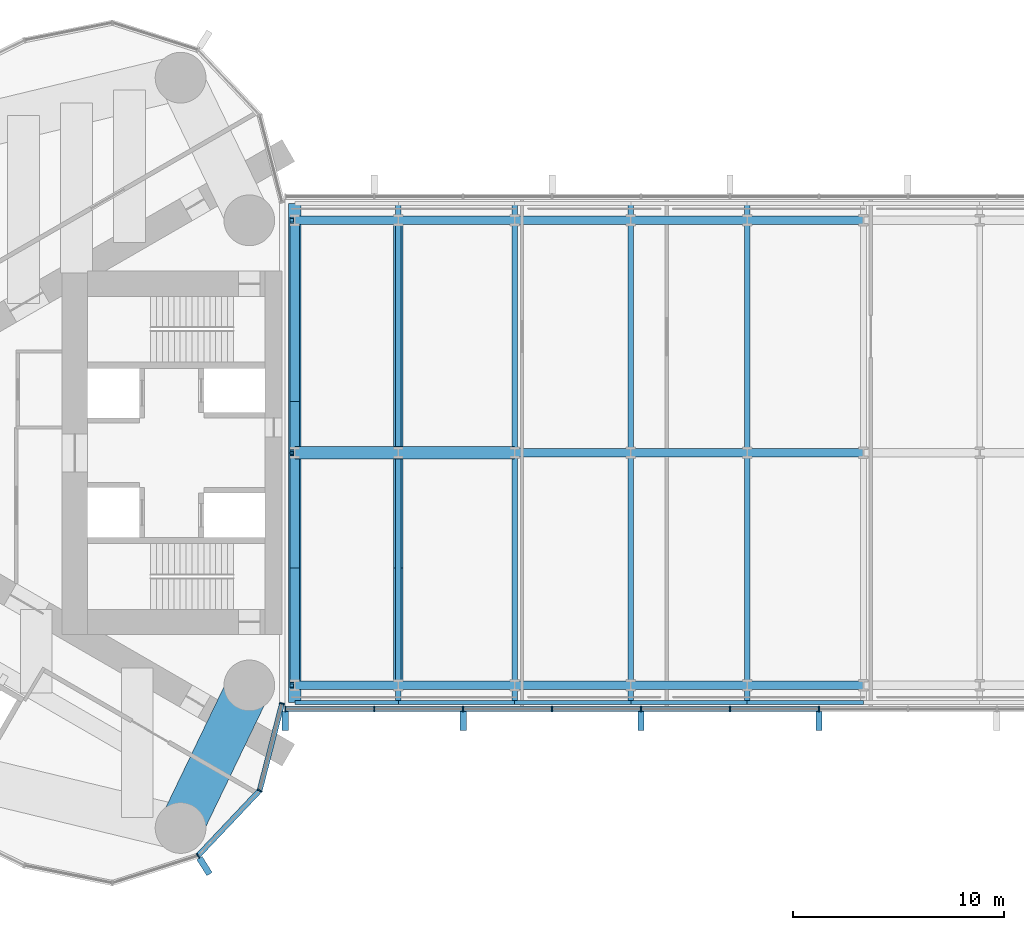
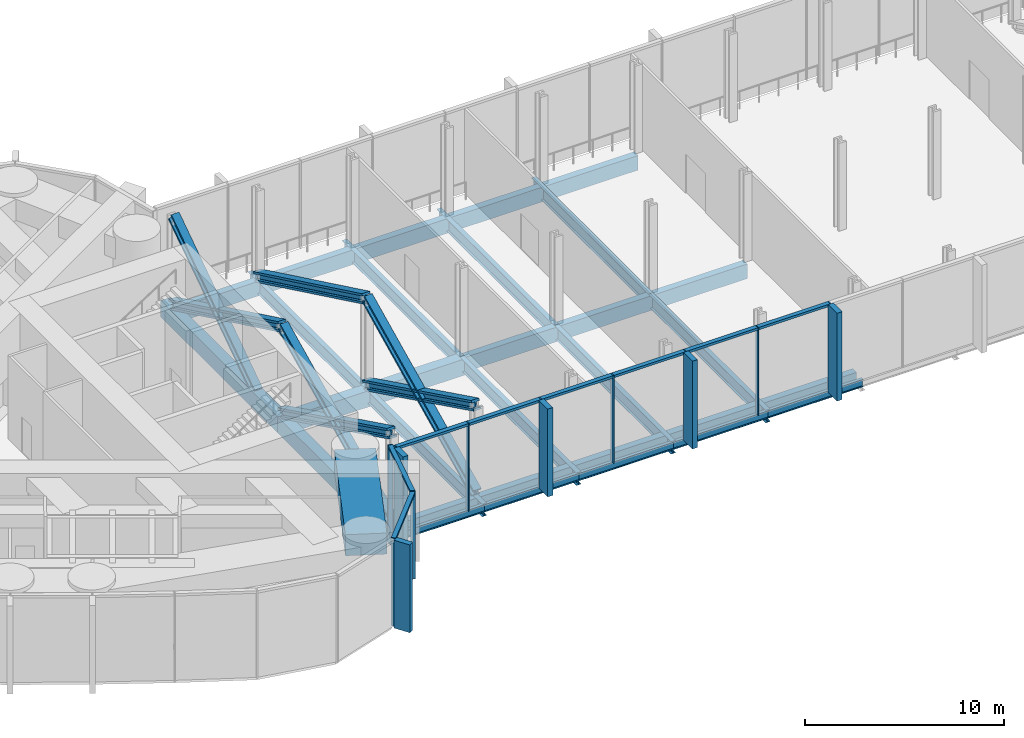
# One storey, part 5 of 21: 31 beams, 30 members, 2 elements without a shape of their own.
"""IFC4 building model written with IfcOpenShell, lengths in metres."""

from ifc_helpers import new_model, si_unit, direction, frame, origin, origin_2d, place, context, subcontext, project, spatial, rectangle, hollow_rectangle, i_section, extrude, material, material_profile, profile_set, type_object, element, aggregate, save


model = new_model("IFC4")

# Units and contexts
model_context = context("Model", 3, precision=1e-05, world=origin(), true_north=direction((0.0, 1.0)))
body_context = subcontext(model_context, "Body", "Model", "MODEL_VIEW")
ifc_project = project(units=[si_unit("LENGTHUNIT", "METRE"), si_unit("AREAUNIT", "SQUARE_METRE"), si_unit("VOLUMEUNIT", "CUBIC_METRE"), si_unit("PLANEANGLEUNIT", "RADIAN"), si_unit("MASSUNIT", "GRAM", prefix="KILO")], contexts=[model_context])

# Site, building, storey
site_placement = place(None, origin())
site = spatial("IfcSite", under=ifc_project, at=site_placement, CompositionType="ELEMENT")
building_placement = place(site_placement, origin())
building = spatial("IfcBuilding", under=site, at=building_placement, Name="Lancet Gate Hotel", CompositionType="ELEMENT")
storey_placement = place(building_placement, frame((0.0, 0.0, 251.89990234375)))
storey = spatial("IfcBuildingStorey", under=building, at=storey_placement, Name="L67", CompositionType="ELEMENT", Elevation=251.89990234375)

# Curtain wall, members
ifc_material_1 = material(Name="Aluminium curtain wall", Category="aluminium")
curtain_wall_type = type_object("IfcCurtainWallType", Name="Sky deck full-height glazing", PredefinedType="USERDEFINED", material=ifc_material_1)
curtain_wall_1_placement = place(storey_placement, origin())
curtain_wall_1 = element("IfcCurtainWall", 1, at=curtain_wall_1_placement, inside=storey, type_object=curtain_wall_type, Name="T1 L67 curtain wall 1", ObjectType="UNITISED CURTAIN WALL", PredefinedType="USERDEFINED")
ifc_material_2 = material(Name="Aluminium mullion", Category="aluminium")
ifc_material_profile_1 = material_profile(ifc_material_2, rectangle(XDim=0.06494140625, YDim=0.25, at=origin_2d()), Name="MULLION 65x250")
ifc_profile_set_1 = profile_set([ifc_material_profile_1], Name="Aluminium mullion")
member_type_1 = type_object("IfcMemberType", Name="Aluminium mullion 65x250", PredefinedType="MULLION", material=ifc_profile_set_1)
member_1_placement = place(storey_placement, frame((-31.476318359375, -19.0576171875, 0.0), z_axis=(0.0, 0.0, 1.0), x_axis=(0.846612863, 0.532209225966, 0.0)))
member_1 = element("IfcMember", 2, at=member_1_placement, type_object=member_type_1, Name="T1 L67 curtain wall 1 mullion 23", PredefinedType="MULLION", context=body_context, shape_type="SweptSolid", body=[
    extrude(rectangle(XDim=0.06494140625, YDim=0.25, at=origin_2d()), origin(), (0.0, 0.0, 1.0), 5.400146484375),
])
member_2_placement = place(storey_placement, frame((-28.56005859375, -15.97216796875, 0.0), z_axis=(0.0, 0.0, 1.0), x_axis=(0.483627322447, 0.875274021654, 0.0)))
member_2 = element("IfcMember", 3, at=member_2_placement, type_object=member_type_1, Name="T1 L67 curtain wall 1 mullion 24", PredefinedType="MULLION", context=body_context, shape_type="SweptSolid", body=[
    extrude(rectangle(XDim=0.06494140625, YDim=0.25, at=origin_2d()), origin(), (0.0, 0.0, 1.0), 5.400146484375),
])
member_3_placement = place(storey_placement, frame((-27.5, -11.861572265625, 0.0), z_axis=(0.0, 0.0, 1.0), x_axis=(0.249725827997, 0.968316586056, 0.0)))
member_3 = element("IfcMember", 4, at=member_3_placement, type_object=member_type_1, Name="T1 L67 curtain wall 1 mullion 25", PredefinedType="MULLION", context=body_context, shape_type="SweptSolid", body=[
    extrude(rectangle(XDim=0.06494140625, YDim=0.25, at=origin_2d()), origin(), (0.0, 0.0, 1.0), 5.400146484375),
])

curtain_wall_2_placement = place(storey_placement, origin())
curtain_wall_2 = element("IfcCurtainWall", 5, at=curtain_wall_2_placement, inside=storey, type_object=curtain_wall_type, Name="Bridge block L67 curtain wall S", ObjectType="UNITISED CURTAIN WALL", PredefinedType="USERDEFINED")
member_4_placement = place(storey_placement, frame((-27.35009765625, -12.1201171875, 0.0), z_axis=(0.0, 0.0, 1.0), x_axis=(1.0, 0.0, 0.0)))
member_4 = element("IfcMember", 6, at=member_4_placement, type_object=member_type_1, Name="Bridge block L67 curtain wall S mullion 1", PredefinedType="MULLION", context=body_context, shape_type="SweptSolid", body=[
    extrude(rectangle(XDim=0.06494140625, YDim=0.25, at=origin_2d()), origin(), (0.0, 0.0, 1.0), 5.400146484375),
])
member_5_placement = place(storey_placement, frame((-23.142333984375, -12.1201171875, 0.0), z_axis=(0.0, 0.0, 1.0), x_axis=(1.0, 0.0, 0.0)))
member_5 = element("IfcMember", 7, at=member_5_placement, type_object=member_type_1, Name="Bridge block L67 curtain wall S mullion 2", PredefinedType="MULLION", context=body_context, shape_type="SweptSolid", body=[
    extrude(rectangle(XDim=0.06494140625, YDim=0.25, at=origin_2d()), origin(), (0.0, 0.0, 1.0), 5.400146484375),
])
member_6_placement = place(storey_placement, frame((-18.9345703125, -12.1201171875, 0.0), z_axis=(0.0, 0.0, 1.0), x_axis=(1.0, 0.0, 0.0)))
member_6 = element("IfcMember", 8, at=member_6_placement, type_object=member_type_1, Name="Bridge block L67 curtain wall S mullion 3", PredefinedType="MULLION", context=body_context, shape_type="SweptSolid", body=[
    extrude(rectangle(XDim=0.06494140625, YDim=0.25, at=origin_2d()), origin(), (0.0, 0.0, 1.0), 5.400146484375),
])
member_7_placement = place(storey_placement, frame((-14.726806640625, -12.1201171875, 0.0), z_axis=(0.0, 0.0, 1.0), x_axis=(1.0, 0.0, 0.0)))
member_7 = element("IfcMember", 9, at=member_7_placement, type_object=member_type_1, Name="Bridge block L67 curtain wall S mullion 4", PredefinedType="MULLION", context=body_context, shape_type="SweptSolid", body=[
    extrude(rectangle(XDim=0.06494140625, YDim=0.25, at=origin_2d()), origin(), (0.0, 0.0, 1.0), 5.400146484375),
])
member_8_placement = place(storey_placement, frame((-10.519287109375, -12.1201171875, 0.0), z_axis=(0.0, 0.0, 1.0), x_axis=(1.0, 0.0, 0.0)))
member_8 = element("IfcMember", 10, at=member_8_placement, type_object=member_type_1, Name="Bridge block L67 curtain wall S mullion 5", PredefinedType="MULLION", context=body_context, shape_type="SweptSolid", body=[
    extrude(rectangle(XDim=0.06494140625, YDim=0.25, at=origin_2d()), origin(), (0.0, 0.0, 1.0), 5.400146484375),
])
member_9_placement = place(storey_placement, frame((-6.3115234375, -12.1201171875, 0.0), z_axis=(0.0, 0.0, 1.0), x_axis=(1.0, 0.0, 0.0)))
member_9 = element("IfcMember", 11, at=member_9_placement, type_object=member_type_1, Name="Bridge block L67 curtain wall S mullion 6", PredefinedType="MULLION", context=body_context, shape_type="SweptSolid", body=[
    extrude(rectangle(XDim=0.06494140625, YDim=0.25, at=origin_2d()), origin(), (0.0, 0.0, 1.0), 5.400146484375),
])
member_10_placement = place(storey_placement, frame((-2.103759765625, -12.1201171875, 0.0), z_axis=(0.0, 0.0, 1.0), x_axis=(1.0, 0.0, 0.0)))
member_10 = element("IfcMember", 12, at=member_10_placement, type_object=member_type_1, Name="Bridge block L67 curtain wall S mullion 7", PredefinedType="MULLION", context=body_context, shape_type="SweptSolid", body=[
    extrude(rectangle(XDim=0.06494140625, YDim=0.25, at=origin_2d()), origin(), (0.0, 0.0, 1.0), 5.400146484375),
])

# Member
ifc_material_3 = material(Name="Aluminium transom", Category="aluminium")
ifc_material_profile_2 = material_profile(ifc_material_3, rectangle(XDim=0.25, YDim=0.14990234375, at=origin_2d()), Name="TRANSOM 250x150")
ifc_profile_set_2 = profile_set([ifc_material_profile_2], Name="Aluminium transom")
member_type_2 = type_object("IfcMemberType", Name="Aluminium transom 250x150", PredefinedType="USERDEFINED", material=ifc_profile_set_2)
member_11_placement = place(storey_placement, frame((-31.453857421875, -19.033935546875, 5.3251953125), z_axis=(0.686880731091, 0.726770157103, 0.0), x_axis=(-0.726770157103, 0.686880731091, 0.0)))
member_11 = element("IfcMember", 13, at=member_11_placement, type_object=member_type_2, Name="T1 L67 curtain wall 1 transom 23", ObjectType="TRANSOM", PredefinedType="USERDEFINED", context=body_context, shape_type="SweptSolid", body=[
    extrude(rectangle(XDim=0.25, YDim=0.14990234375, at=origin_2d()), origin(), (0.0, 0.0, 1.0), 4.18017578125),
])

member_12_placement = place(storey_placement, frame((-28.552001953125, -15.94091796875, 5.3251953125), z_axis=(0.249715522936, 0.968319243641, 0.0), x_axis=(-0.968319243641, 0.249715522936, 0.0)))
member_12 = element("IfcMember", 14, at=member_12_placement, type_object=member_type_2, Name="T1 L67 curtain wall 1 transom 24", ObjectType="TRANSOM", PredefinedType="USERDEFINED", context=body_context, shape_type="SweptSolid", body=[
    extrude(rectangle(XDim=0.25, YDim=0.14990234375, at=origin_2d()), origin(), (0.0, 0.0, 1.0), 4.180419921875),
])

member_13_placement = place(storey_placement, frame((-27.3173828125, -12.1201171875, 5.3251953125), z_axis=(1.0, 0.0, 0.0), x_axis=(0.0, 1.0, 0.0)))
member_13 = element("IfcMember", 15, at=member_13_placement, type_object=member_type_2, Name="Bridge block L67 curtain wall S transom 1", ObjectType="TRANSOM", PredefinedType="USERDEFINED", context=body_context, shape_type="SweptSolid", body=[
    extrude(rectangle(XDim=0.25, YDim=0.14990234375, at=origin_2d()), origin(), (0.0, 0.0, 1.0), 4.142578125),
])

member_14_placement = place(storey_placement, frame((-23.10986328125, -12.1201171875, 5.3251953125), z_axis=(1.0, 0.0, 0.0), x_axis=(0.0, 1.0, 0.0)))
member_14 = element("IfcMember", 16, at=member_14_placement, type_object=member_type_2, Name="Bridge block L67 curtain wall S transom 2", ObjectType="TRANSOM", PredefinedType="USERDEFINED", context=body_context, shape_type="SweptSolid", body=[
    extrude(rectangle(XDim=0.25, YDim=0.14990234375, at=origin_2d()), origin(), (0.0, 0.0, 1.0), 4.142822265625),
])

member_15_placement = place(storey_placement, frame((-18.902099609375, -12.1201171875, 5.3251953125), z_axis=(1.0, 0.0, 0.0), x_axis=(0.0, 1.0, 0.0)))
member_15 = element("IfcMember", 17, at=member_15_placement, type_object=member_type_2, Name="Bridge block L67 curtain wall S transom 3", ObjectType="TRANSOM", PredefinedType="USERDEFINED", context=body_context, shape_type="SweptSolid", body=[
    extrude(rectangle(XDim=0.25, YDim=0.14990234375, at=origin_2d()), origin(), (0.0, 0.0, 1.0), 4.142578125),
])

member_16_placement = place(storey_placement, frame((-14.6943359375, -12.1201171875, 5.3251953125), z_axis=(1.0, 0.0, 0.0), x_axis=(0.0, 1.0, 0.0)))
member_16 = element("IfcMember", 18, at=member_16_placement, type_object=member_type_2, Name="Bridge block L67 curtain wall S transom 4", ObjectType="TRANSOM", PredefinedType="USERDEFINED", context=body_context, shape_type="SweptSolid", body=[
    extrude(rectangle(XDim=0.25, YDim=0.14990234375, at=origin_2d()), origin(), (0.0, 0.0, 1.0), 4.142578125),
])

member_17_placement = place(storey_placement, frame((-10.48681640625, -12.1201171875, 5.3251953125), z_axis=(1.0, 0.0, 0.0), x_axis=(0.0, 1.0, 0.0)))
member_17 = element("IfcMember", 19, at=member_17_placement, type_object=member_type_2, Name="Bridge block L67 curtain wall S transom 5", ObjectType="TRANSOM", PredefinedType="USERDEFINED", context=body_context, shape_type="SweptSolid", body=[
    extrude(rectangle(XDim=0.25, YDim=0.14990234375, at=origin_2d()), origin(), (0.0, 0.0, 1.0), 4.142822265625),
])

member_18_placement = place(storey_placement, frame((-6.279052734375, -12.1201171875, 5.3251953125), z_axis=(1.0, 0.0, 0.0), x_axis=(0.0, 1.0, 0.0)))
member_18 = element("IfcMember", 20, at=member_18_placement, type_object=member_type_2, Name="Bridge block L67 curtain wall S transom 6", ObjectType="TRANSOM", PredefinedType="USERDEFINED", context=body_context, shape_type="SweptSolid", body=[
    extrude(rectangle(XDim=0.25, YDim=0.14990234375, at=origin_2d()), origin(), (0.0, 0.0, 1.0), 4.142822265625),
])

# Beams
ifc_material_4 = material(Name="Steel S355", Category="steel")
ifc_material_profile_3 = material_profile(ifc_material_4, i_section(OverallWidth=0.26806640625, OverallDepth=0.769775390625, WebThickness=0.015625, FlangeThickness=0.025390625, FilletRadius=0.0166015625, at=origin_2d()), Name="UKB 762x267x197")
ifc_profile_set_3 = profile_set([ifc_material_profile_3], Name="Steel S355")
beam_type_1 = type_object("IfcBeamType", Name="Block assembly floor beam UKB 762x267x197", PredefinedType="JOIST", material=ifc_profile_set_3)
for number, where, z_axis, x_axis, name in (
    (21, (-22.0, -11.800048828125, -0.584716796875), (0.0, 1.0, 0.0), (-1.0, 0.0, 0.0), "Block beam x1 S L67"),
    (22, (-22.0, 0.0, -0.584716796875), (0.0, 1.0, 0.0), (-1.0, 0.0, 0.0), "Block beam x1 N L67"),
    (23, (-16.5, -11.800048828125, -0.584716796875), (0.0, 1.0, 0.0), (-1.0, 0.0, 0.0), "Block beam x2 S L67"),
    (24, (-16.5, 0.0, -0.584716796875), (0.0, 1.0, 0.0), (-1.0, 0.0, 0.0), "Block beam x2 N L67"),
    (25, (-11.0, -11.800048828125, -0.584716796875), (0.0, 1.0, 0.0), (-1.0, 0.0, 0.0), "Block beam x3 S L67"),
    (26, (-11.0, 0.0, -0.584716796875), (0.0, 1.0, 0.0), (-1.0, 0.0, 0.0), "Block beam x3 N L67"),
    (27, (-5.5, -11.800048828125, -0.584716796875), (0.0, 1.0, 0.0), (-1.0, 0.0, 0.0), "Block beam x4 S L67"),
    (28, (-5.5, 0.0, -0.584716796875), (0.0, 1.0, 0.0), (-1.0, 0.0, 0.0), "Block beam x4 N L67"),
):
    element("IfcBeam", number, at=place(storey_placement, frame(where, z_axis=z_axis, x_axis=x_axis)), inside=storey, type_object=beam_type_1, Name=name, PredefinedType="JOIST", context=body_context, shape_type="SweptSolid", body=[
        extrude(i_section(OverallWidth=0.26806640625, OverallDepth=0.769775390625, WebThickness=0.015625, FlangeThickness=0.025390625, FilletRadius=0.0166015625, at=origin_2d()), origin(), (0.0, 0.0, 1.0), 11.800048828125),
    ])

# Members
ifc_material_5 = material(Name="Steel S460", Category="steel")
ifc_material_profile_4 = material_profile(ifc_material_5, i_section(OverallWidth=0.4541015625, OverallDepth=0.569091796875, WebThickness=0.077880859375, FlangeThickness=0.125, FilletRadius=0.02001953125, at=origin_2d()), Name="HD 400x1086")
ifc_profile_set_4 = profile_set([ifc_material_profile_4], Name="Steel S460")
member_type_3 = type_object("IfcMemberType", Name="Block brace HD 400x1086", PredefinedType="BRACE", material=ifc_profile_set_4)
member_19_placement = place(storey_placement, frame((-26.89990234375, -11.0, 0.0), z_axis=(0.0, 0.900881511116, 0.434065090661), x_axis=(-1.0, 0.0, 0.0)))
element("IfcMember", 29, at=member_19_placement, inside=storey, type_object=member_type_3, Name="Block brace WY11 L67", PredefinedType="BRACE", context=body_context, shape_type="SweptSolid", body=[
    extrude(i_section(OverallWidth=0.4541015625, OverallDepth=0.569091796875, WebThickness=0.077880859375, FlangeThickness=0.125, FilletRadius=0.02001953125, at=origin_2d()), origin(), (0.0, 0.0, 1.0), 12.210205078125),
])
member_20_placement = place(storey_placement, frame((-26.89990234375, 0.0, 0.0), z_axis=(0.0, -0.897662881785, 0.440682823202), x_axis=(1.0, 0.0, 0.0)))
element("IfcMember", 30, at=member_20_placement, inside=storey, type_object=member_type_3, Name="Block brace WY12 L67", PredefinedType="BRACE", context=body_context, shape_type="SweptSolid", body=[
    extrude(i_section(OverallWidth=0.4541015625, OverallDepth=0.569091796875, WebThickness=0.077880859375, FlangeThickness=0.125, FilletRadius=0.02001953125, at=origin_2d()), origin(), (0.0, 0.0, 1.0), 12.254150390625),
])
for number, where, z_axis, x_axis, name in (
    (31, (-26.89990234375, 11.0, 0.0), (0.0, -0.900881511116, 0.434065090661), (1.0, 0.0, 0.0), "Block brace WY22 L67"),
    (32, (-22.0, -11.0, 0.0), (0.0, 0.900881511116, 0.434065090661), (-1.0, 0.0, 0.0), "Block brace WI11 L67"),
):
    element("IfcMember", number, at=place(storey_placement, frame(where, z_axis=z_axis, x_axis=x_axis)), inside=storey, type_object=member_type_3, Name=name, PredefinedType="BRACE", context=body_context, shape_type="SweptSolid", body=[
        extrude(i_section(OverallWidth=0.4541015625, OverallDepth=0.569091796875, WebThickness=0.077880859375, FlangeThickness=0.125, FilletRadius=0.02001953125, at=origin_2d()), origin(), (0.0, 0.0, 1.0), 12.210205078125),
    ])
member_21_placement = place(storey_placement, frame((-22.0, 0.0, 0.0), z_axis=(0.0, -0.897662881785, 0.440682823202), x_axis=(1.0, 0.0, 0.0)))
element("IfcMember", 33, at=member_21_placement, inside=storey, type_object=member_type_3, Name="Block brace WI12 L67", PredefinedType="BRACE", context=body_context, shape_type="SweptSolid", body=[
    extrude(i_section(OverallWidth=0.4541015625, OverallDepth=0.569091796875, WebThickness=0.077880859375, FlangeThickness=0.125, FilletRadius=0.02001953125, at=origin_2d()), origin(), (0.0, 0.0, 1.0), 12.254150390625),
])
member_22_placement = place(storey_placement, frame((-22.0, 11.0, 0.0), z_axis=(0.0, -0.900881511116, 0.434065090661), x_axis=(1.0, 0.0, 0.0)))
element("IfcMember", 34, at=member_22_placement, inside=storey, type_object=member_type_3, Name="Block brace WI22 L67", PredefinedType="BRACE", context=body_context, shape_type="SweptSolid", body=[
    extrude(i_section(OverallWidth=0.4541015625, OverallDepth=0.569091796875, WebThickness=0.077880859375, FlangeThickness=0.125, FilletRadius=0.02001953125, at=origin_2d()), origin(), (0.0, 0.0, 1.0), 12.210205078125),
])
member_23_placement = place(storey_placement, frame((-26.89990234375, 2.60009765625, -0.2998046875), z_axis=(0.0, 0.827474976215, 0.561502594596), x_axis=(-1.0, 0.0, 0.0)))
element("IfcMember", 35, at=member_23_placement, inside=storey, type_object=member_type_3, Name="Block brace WY23 L67", PredefinedType="BRACE", context=body_context, shape_type="SweptSolid", body=[
    extrude(i_section(OverallWidth=0.4541015625, OverallDepth=0.569091796875, WebThickness=0.077880859375, FlangeThickness=0.125, FilletRadius=0.02001953125, at=origin_2d()), origin(), (0.0, 0.0, 1.0), 10.1513671875),
])

# Beams
ifc_material_6 = material(Name="Steel S355", Category="steel")
ifc_material_profile_5 = material_profile(ifc_material_6, i_section(OverallWidth=0.19140625, OverallDepth=0.4599609375, WebThickness=0.010009765625, FlangeThickness=0.01611328125, FilletRadius=0.01025390625, at=origin_2d()), Name="UKB 457x191x82")
ifc_profile_set_5 = profile_set([ifc_material_profile_5], Name="Steel S355")
beam_type_2 = type_object("IfcBeamType", Name="Block edge beam UKB 457x191x82", PredefinedType="SPANDREL", material=ifc_profile_set_5)
beam_1_placement = place(storey_placement, frame((-26.89990234375, -11.800048828125, -0.429931640625), z_axis=(1.0, 0.0, 0.0), x_axis=(0.0, 1.0, 0.0)))
element("IfcBeam", 36, at=beam_1_placement, inside=storey, type_object=beam_type_2, Name="Block edge beam S 0-1 L67", PredefinedType="SPANDREL", context=body_context, shape_type="SweptSolid", body=[
    extrude(i_section(OverallWidth=0.19140625, OverallDepth=0.4599609375, WebThickness=0.010009765625, FlangeThickness=0.01611328125, FilletRadius=0.01025390625, at=origin_2d()), origin(), (0.0, 0.0, 1.0), 4.89990234375),
])
for number, where, z_axis, x_axis, name in (
    (37, (-22.0, -11.800048828125, -0.429931640625), (1.0, 0.0, 0.0), (0.0, 1.0, 0.0), "Block edge beam S 1-2 L67"),
    (38, (-16.5, -11.800048828125, -0.429931640625), (1.0, 0.0, 0.0), (0.0, 1.0, 0.0), "Block edge beam S 2-3 L67"),
    (39, (-11.0, -11.800048828125, -0.429931640625), (1.0, 0.0, 0.0), (0.0, 1.0, 0.0), "Block edge beam S 3-4 L67"),
    (40, (-5.5, -11.800048828125, -0.429931640625), (1.0, 0.0, 0.0), (0.0, 1.0, 0.0), "Block edge beam S 4-5 L67"),
):
    element("IfcBeam", number, at=place(storey_placement, frame(where, z_axis=z_axis, x_axis=x_axis)), inside=storey, type_object=beam_type_2, Name=name, PredefinedType="SPANDREL", context=body_context, shape_type="SweptSolid", body=[
        extrude(i_section(OverallWidth=0.19140625, OverallDepth=0.4599609375, WebThickness=0.010009765625, FlangeThickness=0.01611328125, FilletRadius=0.01025390625, at=origin_2d()), origin(), (0.0, 0.0, 1.0), 5.5),
    ])
ifc_material_7 = material(Name="Steel S460QL", Category="steel")
ifc_material_profile_6 = material_profile(ifc_material_7, hollow_rectangle(XDim=0.60009765625, YDim=1.0, WallThickness=0.10009765625, at=origin_2d()), Name="BOX 1000x600x100")
ifc_profile_set_6 = profile_set([ifc_material_profile_6], Name="Steel S460QL")
beam_type_3 = type_object("IfcBeamType", Name="Block end beam BOX 1000x600x100", PredefinedType="BEAM", material=ifc_profile_set_6)
for number, where, z_axis, x_axis, name in (
    (41, (-26.89990234375, -11.800048828125, -0.699951171875), (0.0, 1.0, 0.0), (-1.0, 0.0, 0.0), "Block beam x0 S L67"),
    (42, (-26.89990234375, 0.0, -0.699951171875), (0.0, 1.0, 0.0), (-1.0, 0.0, 0.0), "Block beam x0 N L67"),
):
    element("IfcBeam", number, at=place(storey_placement, frame(where, z_axis=z_axis, x_axis=x_axis)), inside=storey, type_object=beam_type_3, Name=name, PredefinedType="BEAM", context=body_context, shape_type="SweptSolid", body=[
        extrude(hollow_rectangle(XDim=0.60009765625, YDim=1.0, WallThickness=0.10009765625, at=origin_2d()), origin(), (0.0, 0.0, 1.0), 11.800048828125),
    ])
ifc_material_8 = material(Name="Steel S460QL", Category="steel")
ifc_material_profile_7 = material_profile(ifc_material_8, hollow_rectangle(XDim=0.60009765625, YDim=1.0, WallThickness=0.080078125, at=origin_2d()), Name="BOX 1000x600x80")
ifc_profile_set_7 = profile_set([ifc_material_profile_7], Name="Steel S460QL")
beam_type_4 = type_object("IfcBeamType", Name="Block primary beam BOX 1000x600x80", PredefinedType="BEAM", material=ifc_profile_set_7)
beam_2_placement = place(storey_placement, frame((-26.89990234375, 0.0, -0.699951171875), z_axis=(1.0, 0.0, 0.0), x_axis=(0.0, 1.0, 0.0)))
element("IfcBeam", 43, at=beam_2_placement, inside=storey, type_object=beam_type_4, Name="Block primary beam M 1 L67", PredefinedType="BEAM", context=body_context, shape_type="SweptSolid", body=[
    extrude(hollow_rectangle(XDim=0.60009765625, YDim=1.0, WallThickness=0.080078125, at=origin_2d()), origin(), (0.0, 0.0, 1.0), 4.89990234375),
])
beam_3_placement = place(storey_placement, frame((-22.0, 0.0, -0.699951171875), z_axis=(1.0, 0.0, 0.0), x_axis=(0.0, 1.0, 0.0)))
element("IfcBeam", 44, at=beam_3_placement, inside=storey, type_object=beam_type_4, Name="Block primary beam M 2 L67", PredefinedType="BEAM", context=body_context, shape_type="SweptSolid", body=[
    extrude(hollow_rectangle(XDim=0.60009765625, YDim=1.0, WallThickness=0.080078125, at=origin_2d()), origin(), (0.0, 0.0, 1.0), 5.5),
])
ifc_material_9 = material(Name="Steel S355", Category="steel")
ifc_material_profile_8 = material_profile(ifc_material_9, hollow_rectangle(XDim=0.39990234375, YDim=0.89990234375, WallThickness=0.0400390625, at=origin_2d()), Name="BOX 900x400x40")
ifc_profile_set_8 = profile_set([ifc_material_profile_8], Name="Steel S355")
beam_type_5 = type_object("IfcBeamType", Name="Block primary beam BOX 900x400x40", PredefinedType="BEAM", material=ifc_profile_set_8)
beam_4_placement = place(storey_placement, frame((-26.89990234375, -11.0, -0.64990234375), z_axis=(1.0, 0.0, 0.0), x_axis=(0.0, 1.0, 0.0)))
element("IfcBeam", 45, at=beam_4_placement, inside=storey, type_object=beam_type_5, Name="Block primary beam S 1 L67", PredefinedType="BEAM", context=body_context, shape_type="SweptSolid", body=[
    extrude(hollow_rectangle(XDim=0.39990234375, YDim=0.89990234375, WallThickness=0.0400390625, at=origin_2d()), origin(), (0.0, 0.0, 1.0), 4.89990234375),
])
for number, where, z_axis, x_axis, name in (
    (46, (-22.0, -11.0, -0.64990234375), (1.0, 0.0, 0.0), (0.0, 1.0, 0.0), "Block primary beam S 2 L67"),
    (47, (-16.5, -11.0, -0.64990234375), (1.0, 0.0, 0.0), (0.0, 1.0, 0.0), "Block primary beam S 3 L67"),
    (48, (-11.0, -11.0, -0.64990234375), (1.0, 0.0, 0.0), (0.0, 1.0, 0.0), "Block primary beam S 4 L67"),
    (49, (-5.5, -11.0, -0.64990234375), (1.0, 0.0, 0.0), (0.0, 1.0, 0.0), "Block primary beam S 5 L67"),
    (50, (-16.5, 0.0, -0.64990234375), (1.0, 0.0, 0.0), (0.0, 1.0, 0.0), "Block primary beam M 3 L67"),
    (51, (-11.0, 0.0, -0.64990234375), (1.0, 0.0, 0.0), (0.0, 1.0, 0.0), "Block primary beam M 4 L67"),
    (52, (-5.5, 0.0, -0.64990234375), (1.0, 0.0, 0.0), (0.0, 1.0, 0.0), "Block primary beam M 5 L67"),
):
    element("IfcBeam", number, at=place(storey_placement, frame(where, z_axis=z_axis, x_axis=x_axis)), inside=storey, type_object=beam_type_5, Name=name, PredefinedType="BEAM", context=body_context, shape_type="SweptSolid", body=[
        extrude(hollow_rectangle(XDim=0.39990234375, YDim=0.89990234375, WallThickness=0.0400390625, at=origin_2d()), origin(), (0.0, 0.0, 1.0), 5.5),
    ])
beam_5_placement = place(storey_placement, frame((-26.89990234375, 11.0, -0.64990234375), z_axis=(1.0, 0.0, 0.0), x_axis=(0.0, 1.0, 0.0)))
element("IfcBeam", 53, at=beam_5_placement, inside=storey, type_object=beam_type_5, Name="Block primary beam N 1 L67", PredefinedType="BEAM", context=body_context, shape_type="SweptSolid", body=[
    extrude(hollow_rectangle(XDim=0.39990234375, YDim=0.89990234375, WallThickness=0.0400390625, at=origin_2d()), origin(), (0.0, 0.0, 1.0), 4.89990234375),
])
for number, where, z_axis, x_axis, name in (
    (54, (-22.0, 11.0, -0.64990234375), (1.0, 0.0, 0.0), (0.0, 1.0, 0.0), "Block primary beam N 2 L67"),
    (55, (-16.5, 11.0, -0.64990234375), (1.0, 0.0, 0.0), (0.0, 1.0, 0.0), "Block primary beam N 3 L67"),
    (56, (-11.0, 11.0, -0.64990234375), (1.0, 0.0, 0.0), (0.0, 1.0, 0.0), "Block primary beam N 4 L67"),
    (57, (-5.5, 11.0, -0.64990234375), (1.0, 0.0, 0.0), (0.0, 1.0, 0.0), "Block primary beam N 5 L67"),
):
    element("IfcBeam", number, at=place(storey_placement, frame(where, z_axis=z_axis, x_axis=x_axis)), inside=storey, type_object=beam_type_5, Name=name, PredefinedType="BEAM", context=body_context, shape_type="SweptSolid", body=[
        extrude(hollow_rectangle(XDim=0.39990234375, YDim=0.89990234375, WallThickness=0.0400390625, at=origin_2d()), origin(), (0.0, 0.0, 1.0), 5.5),
    ])
ifc_material_10 = material(Name="Concrete C50/60", Category="concrete")
ifc_material_profile_9 = material_profile(ifc_material_10, rectangle(XDim=2.10009765625, YDim=1.300048828125, at=origin_2d()), Name="RC 2100x1300")
ifc_profile_set_9 = profile_set([ifc_material_profile_9], Name="Concrete C50/60")
beam_type_6 = type_object("IfcBeamType", Name="Edge beam RC 2100x1300", PredefinedType="SPANDREL", material=ifc_profile_set_9)
beam_6_placement = place(storey_placement, frame((-29.050048828125, -11.0, 4.5), z_axis=(-0.434163599361, -0.900834040759, 0.0), x_axis=(0.900834040759, -0.434163599361, 0.0)))
element("IfcBeam", 58, at=beam_6_placement, inside=storey, type_object=beam_type_6, Name="T1 edge beam EB1 L67", PredefinedType="SPANDREL", context=body_context, shape_type="SweptSolid", body=[
    extrude(rectangle(XDim=2.10009765625, YDim=1.300048828125, at=origin_2d()), origin(), (0.0, 0.0, 1.0), 7.48779296875),
])

# Member
ifc_material_11 = material(Name="Precast concrete C50/60", Category="concrete")
ifc_material_profile_10 = material_profile(ifc_material_11, rectangle(XDim=0.300048828125, YDim=0.89990234375, at=origin_2d()), Name="FIN 300x900")
ifc_profile_set_10 = profile_set([ifc_material_profile_10], Name="Precast concrete C50/60")
member_type_4 = type_object("IfcMemberType", Name="Exposed concrete fin 300x900", PredefinedType="USERDEFINED", material=ifc_profile_set_10)
member_24_placement = place(storey_placement, frame((-31.170166015625, -19.54443359375, 0.0), z_axis=(0.0, 0.0, 1.0), x_axis=(0.846612863, 0.532209225966, 0.0)))
member_24 = element("IfcMember", 59, at=member_24_placement, type_object=member_type_4, Name="T1 L67 curtain wall 1 fin 23", ObjectType="FIN", PredefinedType="USERDEFINED", context=body_context, shape_type="SweptSolid", body=[
    extrude(rectangle(XDim=0.300048828125, YDim=0.89990234375, at=origin_2d()), origin(), (0.0, 0.0, 1.0), 5.400146484375),
])

aggregate(curtain_wall_1, [member_1, member_24, member_2, member_3, member_11, member_12])

member_25_placement = place(storey_placement, frame((-27.35009765625, -12.695068359375, 0.0), z_axis=(0.0, 0.0, 1.0), x_axis=(1.0, 0.0, 0.0)))
member_25 = element("IfcMember", 60, at=member_25_placement, type_object=member_type_4, Name="Bridge block L67 curtain wall S fin 1", ObjectType="FIN", PredefinedType="USERDEFINED", context=body_context, shape_type="SweptSolid", body=[
    extrude(rectangle(XDim=0.300048828125, YDim=0.89990234375, at=origin_2d()), origin(), (0.0, 0.0, 1.0), 5.400146484375),
])

member_26_placement = place(storey_placement, frame((-18.9345703125, -12.695068359375, 0.0), z_axis=(0.0, 0.0, 1.0), x_axis=(1.0, 0.0, 0.0)))
member_26 = element("IfcMember", 61, at=member_26_placement, type_object=member_type_4, Name="Bridge block L67 curtain wall S fin 3", ObjectType="FIN", PredefinedType="USERDEFINED", context=body_context, shape_type="SweptSolid", body=[
    extrude(rectangle(XDim=0.300048828125, YDim=0.89990234375, at=origin_2d()), origin(), (0.0, 0.0, 1.0), 5.400146484375),
])

member_27_placement = place(storey_placement, frame((-10.519287109375, -12.695068359375, 0.0), z_axis=(0.0, 0.0, 1.0), x_axis=(1.0, 0.0, 0.0)))
member_27 = element("IfcMember", 62, at=member_27_placement, type_object=member_type_4, Name="Bridge block L67 curtain wall S fin 5", ObjectType="FIN", PredefinedType="USERDEFINED", context=body_context, shape_type="SweptSolid", body=[
    extrude(rectangle(XDim=0.300048828125, YDim=0.89990234375, at=origin_2d()), origin(), (0.0, 0.0, 1.0), 5.400146484375),
])

member_28_placement = place(storey_placement, frame((-2.103759765625, -12.695068359375, 0.0), z_axis=(0.0, 0.0, 1.0), x_axis=(1.0, 0.0, 0.0)))
member_28 = element("IfcMember", 63, at=member_28_placement, type_object=member_type_4, Name="Bridge block L67 curtain wall S fin 7", ObjectType="FIN", PredefinedType="USERDEFINED", context=body_context, shape_type="SweptSolid", body=[
    extrude(rectangle(XDim=0.300048828125, YDim=0.89990234375, at=origin_2d()), origin(), (0.0, 0.0, 1.0), 5.400146484375),
])

aggregate(curtain_wall_2, [member_4, member_25, member_5, member_6, member_26, member_7, member_8, member_27, member_9, member_10, member_28, member_13, member_14, member_15, member_16, member_17, member_18])

save(model, "model.ifc")
